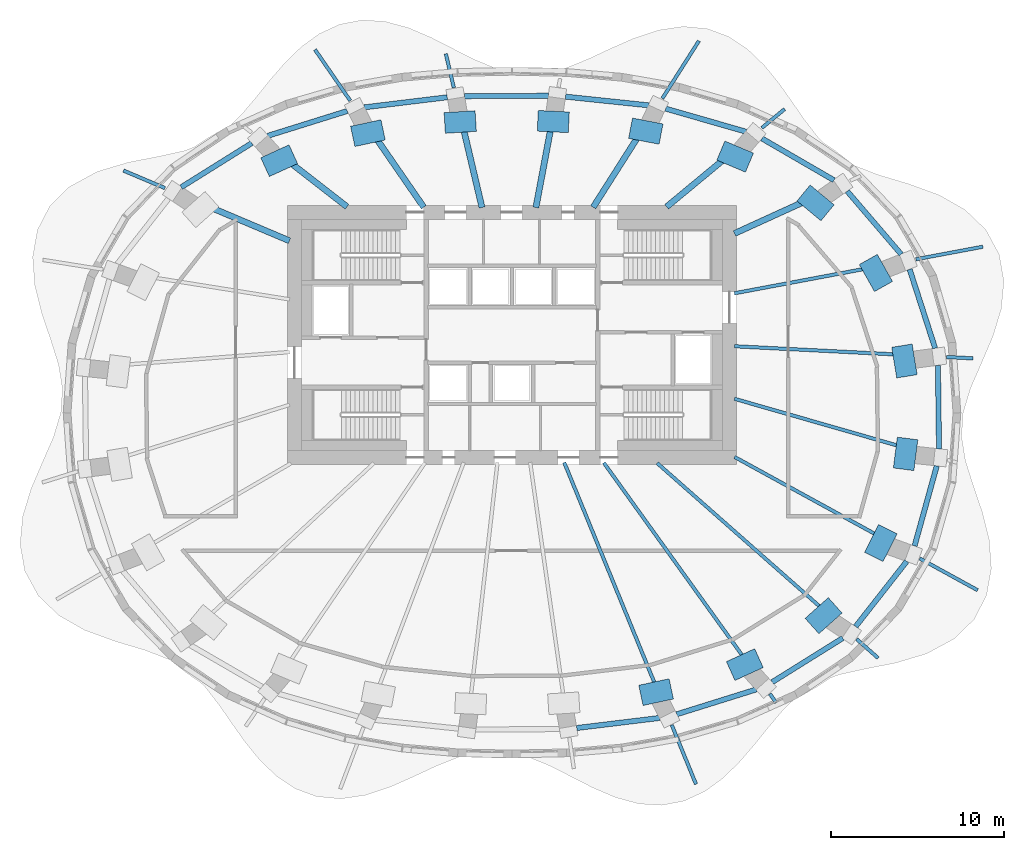
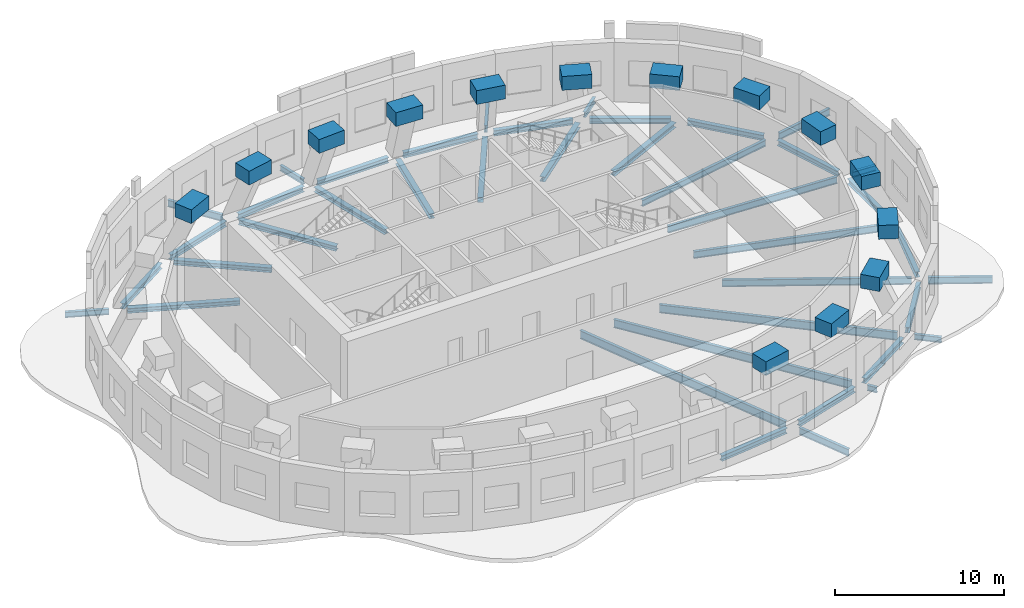
# One storey, part 2 of 9: 55 beams.
"""IFC4 building model written with IfcOpenShell, lengths in metres."""

from ifc_helpers import new_model, si_unit, direction, frame, origin, origin_2d, place, context, subcontext, project, spatial, rectangle, i_section, extrude, material, material_profile, profile_set, type_object, element, save


model = new_model("IFC4")

# Units and contexts
model_context = context("Model", 3, precision=1e-05, world=origin(), true_north=direction((0.0, 1.0)))
body_context = subcontext(model_context, "Body", "Model", "MODEL_VIEW")
ifc_project = project(units=[si_unit("LENGTHUNIT", "METRE"), si_unit("AREAUNIT", "SQUARE_METRE"), si_unit("VOLUMEUNIT", "CUBIC_METRE"), si_unit("PLANEANGLEUNIT", "RADIAN"), si_unit("MASSUNIT", "GRAM", prefix="KILO")], contexts=[model_context])

# Site, building, storey
site_placement = place(None, origin())
site = spatial("IfcSite", under=ifc_project, at=site_placement, CompositionType="ELEMENT")
building_placement = place(site_placement, origin())
building = spatial("IfcBuilding", under=site, at=building_placement, Name="Rubra Terraces Tower", CompositionType="ELEMENT")
storey_placement = place(building_placement, frame((0.0, 0.0, 264.300048828125)))
storey = spatial("IfcBuildingStorey", under=building, at=storey_placement, Name="L65", CompositionType="ELEMENT", Elevation=264.300048828125)

# Beams
ifc_material_1 = material(Name="Steel Q355B", Category="steel")
ifc_material_profile_1 = material_profile(ifc_material_1, i_section(OverallWidth=0.199951171875, OverallDepth=0.39990234375, WebThickness=0.008056640625, FlangeThickness=0.012939453125, at=origin_2d()), Name="HN 400x200x8x13")
ifc_profile_set_1 = profile_set([ifc_material_profile_1], Name="Steel Q355B")
beam_type_1 = type_object("IfcBeamType", Name="CANTILEVER BEAM HN 400x200x8x13", PredefinedType="BEAM", material=ifc_profile_set_1)
beam_1_placement = place(storey_placement, frame((25.179931640625, 3.221923828125, -0.5), z_axis=(0.998705379321, -0.050868116877, 0.0), x_axis=(0.050868116877, 0.998705379321, 0.0)))
element("IfcBeam", 1, at=beam_1_placement, inside=storey, type_object=beam_type_1, Name="beam-L65-cant-01", PredefinedType="BEAM", context=body_context, shape_type="SweptSolid", body=[
    extrude(i_section(OverallWidth=0.199951171875, OverallDepth=0.39990234375, WebThickness=0.008056640625, FlangeThickness=0.012939453125, at=origin_2d()), origin(), (0.0, 0.0, 1.0), 1.531005859375),
])
beam_2_placement = place(storey_placement, frame((14.47509765625, 16.4951171875, -0.5), z_axis=(0.77029770599, 0.637684439316, 0.0), x_axis=(-0.637684439316, 0.77029770599, 0.0)))
element("IfcBeam", 2, at=beam_2_placement, inside=storey, type_object=beam_type_1, Name="beam-L65-cant-04", PredefinedType="BEAM", context=body_context, shape_type="SweptSolid", body=[
    extrude(i_section(OverallWidth=0.199951171875, OverallDepth=0.39990234375, WebThickness=0.008056640625, FlangeThickness=0.012939453125, at=origin_2d()), origin(), (0.0, 0.0, 1.0), 1.712158203125),
])
beam_3_placement = place(storey_placement, frame((-3.3701171875, 18.823974609375, -0.5), z_axis=(-0.229039333726, 0.973417168334, 0.0), x_axis=(-0.973417168334, -0.229039333726, 0.0)))
element("IfcBeam", 3, at=beam_3_placement, inside=storey, type_object=beam_type_1, Name="beam-L65-cant-07", PredefinedType="BEAM", context=body_context, shape_type="SweptSolid", body=[
    extrude(i_section(OverallWidth=0.199951171875, OverallDepth=0.39990234375, WebThickness=0.008056640625, FlangeThickness=0.012939453125, at=origin_2d()), origin(), (0.0, 0.0, 1.0), 2.016845703125),
])
beam_4_placement = place(storey_placement, frame((-20.10205078125, 13.0048828125, -0.5), z_axis=(-0.920891110766, 0.389819909846, 0.0), x_axis=(-0.389819909846, -0.920891110766, 0.0)))
element("IfcBeam", 4, at=beam_4_placement, inside=storey, type_object=beam_type_1, Name="beam-L65-cant-10", PredefinedType="BEAM", context=body_context, shape_type="SweptSolid", body=[
    extrude(i_section(OverallWidth=0.199951171875, OverallDepth=0.39990234375, WebThickness=0.008056640625, FlangeThickness=0.012939453125, at=origin_2d()), origin(), (0.0, 0.0, 1.0), 2.611572265625),
])
beam_5_placement = place(storey_placement, frame((19.969970703125, -13.123046875, -0.5), z_axis=(0.749803442834, -0.661660635911, 0.0), x_axis=(0.661660635911, 0.749803442834, 0.0)))
element("IfcBeam", 5, at=beam_5_placement, inside=storey, type_object=beam_type_1, Name="beam-L65-cant-22", PredefinedType="BEAM", context=body_context, shape_type="SweptSolid", body=[
    extrude(i_section(OverallWidth=0.199951171875, OverallDepth=0.39990234375, WebThickness=0.008056640625, FlangeThickness=0.012939453125, at=origin_2d()), origin(), (0.0, 0.0, 1.0), 1.65625),
])
ifc_material_profile_2 = material_profile(ifc_material_1, i_section(OverallWidth=0.198974609375, OverallDepth=0.49609375, WebThickness=0.009033203125, FlangeThickness=0.013916015625, at=origin_2d()), Name="HN 496x199x9x14")
ifc_profile_set_2 = profile_set([ifc_material_profile_2], Name="Steel Q355B")
beam_type_2 = type_object("IfcBeamType", Name="CANTILEVER BEAM HN 496x199x9x14", PredefinedType="BEAM", material=ifc_profile_set_2)
beam_6_placement = place(storey_placement, frame((23.39794921875, 8.884033203125, -0.548095703125), z_axis=(0.982865888577, 0.18432212312, 0.0), x_axis=(-0.18432212312, 0.982865888577, 0.0)))
element("IfcBeam", 6, at=beam_6_placement, inside=storey, type_object=beam_type_2, Name="beam-L65-cant-02", PredefinedType="BEAM", context=body_context, shape_type="SweptSolid", body=[
    extrude(i_section(OverallWidth=0.198974609375, OverallDepth=0.49609375, WebThickness=0.009033203125, FlangeThickness=0.013916015625, at=origin_2d()), origin(), (0.0, 0.0, 1.0), 3.94970703125),
])
beam_7_placement = place(storey_placement, frame((8.7099609375, 18.201904296875, -0.548095703125), z_axis=(0.536427545347, 0.843946377795, 0.0), x_axis=(-0.843946377795, 0.536427545347, 0.0)))
element("IfcBeam", 7, at=beam_7_placement, inside=storey, type_object=beam_type_2, Name="beam-L65-cant-05", PredefinedType="BEAM", context=body_context, shape_type="SweptSolid", body=[
    extrude(i_section(OverallWidth=0.198974609375, OverallDepth=0.49609375, WebThickness=0.009033203125, FlangeThickness=0.013916015625, at=origin_2d()), origin(), (0.0, 0.0, 1.0), 3.950439453125),
])
beam_8_placement = place(storey_placement, frame((-9.3701171875, 18.070068359375, -0.548095703125), z_axis=(-0.56822135663, 0.822875743882, 0.0), x_axis=(-0.822875743882, -0.56822135663, 0.0)))
element("IfcBeam", 8, at=beam_8_placement, inside=storey, type_object=beam_type_2, Name="beam-L65-cant-08", PredefinedType="BEAM", context=body_context, shape_type="SweptSolid", body=[
    extrude(i_section(OverallWidth=0.198974609375, OverallDepth=0.49609375, WebThickness=0.009033203125, FlangeThickness=0.013916015625, at=origin_2d()), origin(), (0.0, 0.0, 1.0), 3.59716796875),
])
beam_9_placement = place(storey_placement, frame((9.256103515625, -18.094970703125, -0.548095703125), z_axis=(0.378876573118, -0.925447212078, 0.0), x_axis=(0.925447212078, 0.378876573118, 0.0)))
element("IfcBeam", 9, at=beam_9_placement, inside=storey, type_object=beam_type_2, Name="beam-L65-cant-20", PredefinedType="BEAM", context=body_context, shape_type="SweptSolid", body=[
    extrude(i_section(OverallWidth=0.198974609375, OverallDepth=0.49609375, WebThickness=0.009033203125, FlangeThickness=0.013916015625, at=origin_2d()), origin(), (0.0, 0.0, 1.0), 3.705078125),
])
beam_10_placement = place(storey_placement, frame((23.6240234375, -8.449951171875, -0.548095703125), z_axis=(0.876754126766, -0.480938874701, 0.0), x_axis=(0.480938874701, 0.876754126766, 0.0)))
element("IfcBeam", 10, at=beam_10_placement, inside=storey, type_object=beam_type_2, Name="beam-L65-cant-23", PredefinedType="BEAM", context=body_context, shape_type="SweptSolid", body=[
    extrude(i_section(OverallWidth=0.198974609375, OverallDepth=0.49609375, WebThickness=0.009033203125, FlangeThickness=0.013916015625, at=origin_2d()), origin(), (0.0, 0.0, 1.0), 3.8173828125),
])
ifc_material_profile_3 = material_profile(ifc_material_1, i_section(OverallWidth=0.199951171875, OverallDepth=0.39990234375, WebThickness=0.008056640625, FlangeThickness=0.012939453125, at=origin_2d()), Name="HN 400x200x8x13")
ifc_profile_set_3 = profile_set([ifc_material_profile_3], Name="Steel Q355B")
beam_type_3 = type_object("IfcBeamType", Name="CANTILEVER STUB HN 400x200x8x13", PredefinedType="BEAM", material=ifc_profile_set_3)
beam_11_placement = place(storey_placement, frame((14.93994140625, -16.294921875, -0.5), z_axis=(0.583740356703, -0.81194038941, 0.0), x_axis=(0.81194038941, 0.583740356703, 0.0)))
element("IfcBeam", 11, at=beam_11_placement, inside=storey, type_object=beam_type_3, Name="beam-L65-cant-21", PredefinedType="BEAM", context=body_context, shape_type="SweptSolid", body=[
    extrude(i_section(OverallWidth=0.199951171875, OverallDepth=0.39990234375, WebThickness=0.008056640625, FlangeThickness=0.012939453125, at=origin_2d()), origin(), (0.0, 0.0, 1.0), 0.626953125),
])
ifc_material_profile_4 = material_profile(ifc_material_1, i_section(OverallWidth=0.198974609375, OverallDepth=0.446044921875, WebThickness=0.008056640625, FlangeThickness=0.011962890625, at=origin_2d()), Name="HN 446x199x8x12")
ifc_profile_set_4 = profile_set([ifc_material_profile_4], Name="Steel Q355B")
beam_type_4 = type_object("IfcBeamType", Name="FLOOR BEAM HN 446x199x8x12", PredefinedType="BEAM", material=ifc_profile_set_4)
beam_12_placement = place(storey_placement, frame((22.360107421875, 8.68994140625, -0.52294921875), z_axis=(-0.982895681695, -0.18416318553, 0.0), x_axis=(0.18416318553, -0.982895681695, 0.0)))
element("IfcBeam", 12, at=beam_12_placement, inside=storey, type_object=beam_type_4, Name="beam-L65-floor-02", PredefinedType="BEAM", context=body_context, shape_type="SweptSolid", body=[
    extrude(i_section(OverallWidth=0.198974609375, OverallDepth=0.446044921875, WebThickness=0.008056640625, FlangeThickness=0.011962890625, at=origin_2d()), origin(), (0.0, 0.0, 1.0), 9.64306640625),
])
ifc_material_profile_5 = material_profile(ifc_material_1, i_section(OverallWidth=0.198974609375, OverallDepth=0.49609375, WebThickness=0.009033203125, FlangeThickness=0.013916015625, at=origin_2d()), Name="HN 496x199x9x14")
ifc_profile_set_5 = profile_set([ifc_material_profile_5], Name="Steel Q355B")
beam_type_5 = type_object("IfcBeamType", Name="FLOOR BEAM HN 496x199x9x14", PredefinedType="BEAM", material=ifc_profile_set_5)
beam_13_placement = place(storey_placement, frame((24.157958984375, 3.27392578125, -0.548095703125), z_axis=(-0.998716228561, 0.050654662269, 0.0), x_axis=(-0.050654662269, -0.998716228561, 0.0)))
element("IfcBeam", 13, at=beam_13_placement, inside=storey, type_object=beam_type_5, Name="beam-L65-floor-01", PredefinedType="BEAM", context=body_context, shape_type="SweptSolid", body=[
    extrude(i_section(OverallWidth=0.198974609375, OverallDepth=0.49609375, WebThickness=0.009033203125, FlangeThickness=0.013916015625, at=origin_2d()), origin(), (0.0, 0.0, 1.0), 11.29248046875),
])
beam_14_placement = place(storey_placement, frame((22.74609375, -7.969970703125, -0.548095703125), z_axis=(-0.876862055903, 0.480742066932, 0.0), x_axis=(-0.480742066932, -0.876862055903, 0.0)))
element("IfcBeam", 14, at=beam_14_placement, inside=storey, type_object=beam_type_5, Name="beam-L65-floor-23", PredefinedType="BEAM", context=body_context, shape_type="SweptSolid", body=[
    extrude(i_section(OverallWidth=0.198974609375, OverallDepth=0.49609375, WebThickness=0.009033203125, FlangeThickness=0.013916015625, at=origin_2d()), origin(), (0.0, 0.0, 1.0), 11.234375),
])
beam_15_placement = place(storey_placement, frame((24.257080078125, -2.4599609375, -0.548095703125), z_axis=(-0.961215754667, 0.275797521707, 0.0), x_axis=(-0.275797521707, -0.961215754667, 0.0)))
element("IfcBeam", 15, at=beam_15_placement, inside=storey, type_object=beam_type_5, Name="beam-L65-floor-24", PredefinedType="BEAM", context=body_context, shape_type="SweptSolid", body=[
    extrude(i_section(OverallWidth=0.198974609375, OverallDepth=0.49609375, WebThickness=0.009033203125, FlangeThickness=0.013916015625, at=origin_2d()), origin(), (0.0, 0.0, 1.0), 11.830810546875),
])
ifc_material_profile_6 = material_profile(ifc_material_1, i_section(OverallWidth=0.198974609375, OverallDepth=0.595947265625, WebThickness=0.010009765625, FlangeThickness=0.014892578125, at=origin_2d()), Name="HN 596x199x10x15")
ifc_profile_set_6 = profile_set([ifc_material_profile_6], Name="Steel Q355B")
beam_type_6 = type_object("IfcBeamType", Name="FLOOR BEAM HN 596x199x10x15", PredefinedType="BEAM", material=ifc_profile_set_6)
beam_16_placement = place(storey_placement, frame((8.8701171875, -17.155029296875, -0.59814453125), z_axis=(-0.379015131933, 0.925390474214, 0.0), x_axis=(-0.925390474214, -0.379015131933, 0.0)))
element("IfcBeam", 16, at=beam_16_placement, inside=storey, type_object=beam_type_6, Name="beam-L65-floor-20", PredefinedType="BEAM", context=body_context, shape_type="SweptSolid", body=[
    extrude(i_section(OverallWidth=0.198974609375, OverallDepth=0.595947265625, WebThickness=0.010009765625, FlangeThickness=0.014892578125, at=origin_2d()), origin(), (0.0, 0.0, 1.0), 15.416259765625),
])
beam_17_placement = place(storey_placement, frame((14.345947265625, -15.467041015625, -0.59814453125), z_axis=(-0.583528740197, 0.812092488183, 0.0), x_axis=(-0.812092488183, -0.583528740197, 0.0)))
element("IfcBeam", 17, at=beam_17_placement, inside=storey, type_object=beam_type_6, Name="beam-L65-floor-21", PredefinedType="BEAM", context=body_context, shape_type="SweptSolid", body=[
    extrude(i_section(OverallWidth=0.198974609375, OverallDepth=0.595947265625, WebThickness=0.010009765625, FlangeThickness=0.014892578125, at=origin_2d()), origin(), (0.0, 0.0, 1.0), 15.47119140625),
])
beam_18_placement = place(storey_placement, frame((19.216064453125, -12.45703125, -0.59814453125), z_axis=(-0.749823025288, 0.661638444128, 0.0), x_axis=(-0.661638444128, -0.749823025288, 0.0)))
element("IfcBeam", 18, at=beam_18_placement, inside=storey, type_object=beam_type_6, Name="beam-L65-floor-22", PredefinedType="BEAM", context=body_context, shape_type="SweptSolid", body=[
    extrude(i_section(OverallWidth=0.198974609375, OverallDepth=0.595947265625, WebThickness=0.010009765625, FlangeThickness=0.014892578125, at=origin_2d()), origin(), (0.0, 0.0, 1.0), 14.412841796875),
])
ifc_material_profile_7 = material_profile(ifc_material_1, i_section(OverallWidth=0.35009765625, OverallDepth=0.35009765625, WebThickness=0.011962890625, FlangeThickness=0.01904296875, at=origin_2d()), Name="HW 350x350x12x19")
ifc_profile_set_7 = profile_set([ifc_material_profile_7], Name="Steel Q355B")
beam_type_7 = type_object("IfcBeamType", Name="FLOOR BEAM HW 350x350x12x19", PredefinedType="BEAM", material=ifc_profile_set_7)
beam_19_placement = place(storey_placement, frame((18.5869140625, 12.97900390625, -0.47509765625), z_axis=(-0.909756526533, -0.415142219523, 0.0), x_axis=(0.415142219523, -0.909756526533, 0.0)))
element("IfcBeam", 19, at=beam_19_placement, inside=storey, type_object=beam_type_7, Name="beam-L65-floor-03", PredefinedType="BEAM", context=body_context, shape_type="SweptSolid", body=[
    extrude(i_section(OverallWidth=0.35009765625, OverallDepth=0.35009765625, WebThickness=0.011962890625, FlangeThickness=0.01904296875, at=origin_2d()), origin(), (0.0, 0.0, 1.0), 6.2607421875),
])
beam_20_placement = place(storey_placement, frame((13.60888671875, 15.777099609375, -0.47509765625), z_axis=(-0.769987518392, -0.638058948312, 0.0), x_axis=(0.638058948312, -0.769987518392, 0.0)))
element("IfcBeam", 20, at=beam_20_placement, inside=storey, type_object=beam_type_7, Name="beam-L65-floor-04", PredefinedType="BEAM", context=body_context, shape_type="SweptSolid", body=[
    extrude(i_section(OverallWidth=0.35009765625, OverallDepth=0.35009765625, WebThickness=0.011962890625, FlangeThickness=0.01904296875, at=origin_2d()), origin(), (0.0, 0.0, 1.0), 6.040283203125),
])
beam_21_placement = place(storey_placement, frame((8.134033203125, 17.2958984375, -0.47509765625), z_axis=(-0.536509861106, -0.843894050776, 0.0), x_axis=(0.843894050776, -0.536509861106, 0.0)))
element("IfcBeam", 21, at=beam_21_placement, inside=storey, type_object=beam_type_7, Name="beam-L65-floor-05", PredefinedType="BEAM", context=body_context, shape_type="SweptSolid", body=[
    extrude(i_section(OverallWidth=0.35009765625, OverallDepth=0.35009765625, WebThickness=0.011962890625, FlangeThickness=0.01904296875, at=origin_2d()), origin(), (0.0, 0.0, 1.0), 6.395263671875),
])
beam_22_placement = place(storey_placement, frame((2.509033203125, 17.862060546875, -0.47509765625), z_axis=(-0.184574398021, -0.982818544593, 0.0), x_axis=(0.982818544593, -0.184574398021, 0.0)))
element("IfcBeam", 22, at=beam_22_placement, inside=storey, type_object=beam_type_7, Name="beam-L65-floor-06", PredefinedType="BEAM", context=body_context, shape_type="SweptSolid", body=[
    extrude(i_section(OverallWidth=0.35009765625, OverallDepth=0.35009765625, WebThickness=0.011962890625, FlangeThickness=0.01904296875, at=origin_2d()), origin(), (0.0, 0.0, 1.0), 6.08447265625),
])
beam_23_placement = place(storey_placement, frame((-3.137939453125, 17.8359375, -0.47509765625), z_axis=(0.229070485592, -0.973409837957, 0.0), x_axis=(0.973409837957, 0.229070485592, 0.0)))
element("IfcBeam", 23, at=beam_23_placement, inside=storey, type_object=beam_type_7, Name="beam-L65-floor-07", PredefinedType="BEAM", context=body_context, shape_type="SweptSolid", body=[
    extrude(i_section(OverallWidth=0.35009765625, OverallDepth=0.35009765625, WebThickness=0.011962890625, FlangeThickness=0.01904296875, at=origin_2d()), origin(), (0.0, 0.0, 1.0), 6.115478515625),
])
beam_24_placement = place(storey_placement, frame((-8.756103515625, 17.179931640625, -0.47509765625), z_axis=(0.568186422001, -0.822899866238, 0.0), x_axis=(0.822899866238, 0.568186422001, 0.0)))
element("IfcBeam", 24, at=beam_24_placement, inside=storey, type_object=beam_type_7, Name="beam-L65-floor-08", PredefinedType="BEAM", context=body_context, shape_type="SweptSolid", body=[
    extrude(i_section(OverallWidth=0.35009765625, OverallDepth=0.35009765625, WebThickness=0.011962890625, FlangeThickness=0.01904296875, at=origin_2d()), origin(), (0.0, 0.0, 1.0), 6.415283203125),
])
beam_25_placement = place(storey_placement, frame((-14.197998046875, 15.534912109375, -0.47509765625), z_axis=(0.789548898228, -0.613687654517, 0.0), x_axis=(0.613687654517, 0.789548898228, 0.0)))
element("IfcBeam", 25, at=beam_25_placement, inside=storey, type_object=beam_type_7, Name="beam-L65-floor-09", PredefinedType="BEAM", context=body_context, shape_type="SweptSolid", body=[
    extrude(i_section(OverallWidth=0.35009765625, OverallDepth=0.35009765625, WebThickness=0.011962890625, FlangeThickness=0.01904296875, at=origin_2d()), origin(), (0.0, 0.0, 1.0), 5.880615234375),
])
beam_26_placement = place(storey_placement, frame((-19.083984375, 12.574951171875, -0.47509765625), z_axis=(0.92097476483, -0.38962223056, 0.0), x_axis=(0.38962223056, 0.92097476483, 0.0)))
element("IfcBeam", 26, at=beam_26_placement, inside=storey, type_object=beam_type_7, Name="beam-L65-floor-10", PredefinedType="BEAM", context=body_context, shape_type="SweptSolid", body=[
    extrude(i_section(OverallWidth=0.35009765625, OverallDepth=0.35009765625, WebThickness=0.011962890625, FlangeThickness=0.01904296875, at=origin_2d()), origin(), (0.0, 0.0, 1.0), 6.7265625),
])
ifc_material_profile_8 = material_profile(ifc_material_1, i_section(OverallWidth=0.300048828125, OverallDepth=0.389892578125, WebThickness=0.010009765625, FlangeThickness=0.01611328125, at=origin_2d()), Name="HM 390x300x10x16")
ifc_profile_set_8 = profile_set([ifc_material_profile_8], Name="Steel Q355B")
beam_type_8 = type_object("IfcBeamType", Name="SPANDREL BEAM HM 390x300x10x16", PredefinedType="SPANDREL", material=ifc_profile_set_8)
beam_27_placement = place(storey_placement, frame((24.512939453125, 3.72900390625, -0.4951171875), z_axis=(-0.307359002872, 0.951593633519, 0.0), x_axis=(-0.951593633519, -0.307359002872, 0.0)))
element("IfcBeam", 27, at=beam_27_placement, inside=storey, type_object=beam_type_8, Name="beam-L65-spandrel-01", PredefinedType="SPANDREL", context=body_context, shape_type="SweptSolid", body=[
    extrude(i_section(OverallWidth=0.300048828125, OverallDepth=0.389892578125, WebThickness=0.010009765625, FlangeThickness=0.01611328125, at=origin_2d()), origin(), (0.0, 0.0, 1.0), 4.8056640625),
])
beam_28_placement = place(storey_placement, frame((22.547119140625, 9.174072265625, -0.4951171875), z_axis=(-0.650372836218, 0.759615148552, 0.0), x_axis=(-0.759615148552, -0.650372836218, 0.0)))
element("IfcBeam", 28, at=beam_28_placement, inside=storey, type_object=beam_type_8, Name="beam-L65-spandrel-02", PredefinedType="SPANDREL", context=body_context, shape_type="SweptSolid", body=[
    extrude(i_section(OverallWidth=0.300048828125, OverallDepth=0.389892578125, WebThickness=0.010009765625, FlangeThickness=0.01611328125, at=origin_2d()), origin(), (0.0, 0.0, 1.0), 4.804931640625),
])
beam_29_placement = place(storey_placement, frame((18.653076171875, 13.462890625, -0.4951171875), z_axis=(-0.865153680787, 0.501506838059, 0.0), x_axis=(-0.501506838059, -0.865153680787, 0.0)))
element("IfcBeam", 29, at=beam_29_placement, inside=storey, type_object=beam_type_8, Name="beam-L65-spandrel-03", PredefinedType="SPANDREL", context=body_context, shape_type="SweptSolid", body=[
    extrude(i_section(OverallWidth=0.300048828125, OverallDepth=0.389892578125, WebThickness=0.010009765625, FlangeThickness=0.01611328125, at=origin_2d()), origin(), (0.0, 0.0, 1.0), 4.82568359375),
])
beam_30_placement = place(storey_placement, frame((13.55810546875, 16.27490234375, -0.4951171875), z_axis=(-0.961171164323, 0.275952881621, 0.0), x_axis=(-0.275952881621, -0.961171164323, 0.0)))
element("IfcBeam", 30, at=beam_30_placement, inside=storey, type_object=beam_type_8, Name="beam-L65-spandrel-04", PredefinedType="SPANDREL", context=body_context, shape_type="SweptSolid", body=[
    extrude(i_section(OverallWidth=0.300048828125, OverallDepth=0.389892578125, WebThickness=0.010009765625, FlangeThickness=0.01611328125, at=origin_2d()), origin(), (0.0, 0.0, 1.0), 4.842041015625),
])
beam_31_placement = place(storey_placement, frame((7.923095703125, 17.801025390625, -0.4951171875), z_axis=(-0.994565426955, 0.104113454971, 0.0), x_axis=(-0.104113454971, -0.994565426955, 0.0)))
element("IfcBeam", 31, at=beam_31_placement, inside=storey, type_object=beam_type_8, Name="beam-L65-spandrel-05", PredefinedType="SPANDREL", context=body_context, shape_type="SweptSolid", body=[
    extrude(i_section(OverallWidth=0.300048828125, OverallDepth=0.389892578125, WebThickness=0.010009765625, FlangeThickness=0.01611328125, at=origin_2d()), origin(), (0.0, 0.0, 1.0), 4.849365234375),
])
beam_32_placement = place(storey_placement, frame((2.10107421875, 18.35595703125, -0.4951171875), z_axis=(-0.999987852299, -0.004929021704, 0.0), x_axis=(0.004929021704, -0.999987852299, 0.0)))
element("IfcBeam", 32, at=beam_32_placement, inside=storey, type_object=beam_type_8, Name="beam-L65-spandrel-06", PredefinedType="SPANDREL", context=body_context, shape_type="SweptSolid", body=[
    extrude(i_section(OverallWidth=0.300048828125, OverallDepth=0.389892578125, WebThickness=0.010009765625, FlangeThickness=0.01611328125, at=origin_2d()), origin(), (0.0, 0.0, 1.0), 4.85400390625),
])
beam_33_placement = place(storey_placement, frame((-3.7509765625, 18.27001953125, -0.4951171875), z_axis=(-0.992698018573, -0.120626049929, 0.0), x_axis=(0.120626049929, -0.992698018573, 0.0)))
element("IfcBeam", 33, at=beam_33_placement, inside=storey, type_object=beam_type_8, Name="beam-L65-spandrel-07", PredefinedType="SPANDREL", context=body_context, shape_type="SweptSolid", body=[
    extrude(i_section(OverallWidth=0.300048828125, OverallDepth=0.389892578125, WebThickness=0.010009765625, FlangeThickness=0.01611328125, at=origin_2d()), origin(), (0.0, 0.0, 1.0), 4.849365234375),
])
beam_34_placement = place(storey_placement, frame((-9.5419921875, 17.47509765625, -0.4951171875), z_axis=(-0.954462027342, -0.298332429282, 0.0), x_axis=(0.298332429282, -0.954462027342, 0.0)))
element("IfcBeam", 34, at=beam_34_placement, inside=storey, type_object=beam_type_8, Name="beam-L65-spandrel-08", PredefinedType="SPANDREL", context=body_context, shape_type="SweptSolid", body=[
    extrude(i_section(OverallWidth=0.300048828125, OverallDepth=0.389892578125, WebThickness=0.010009765625, FlangeThickness=0.01611328125, at=origin_2d()), origin(), (0.0, 0.0, 1.0), 4.840576171875),
])
beam_35_placement = place(storey_placement, frame((-15.071044921875, 15.614013671875, -0.4951171875), z_axis=(-0.848183088492, -0.529703170083, 0.0), x_axis=(0.529703170083, -0.848183088492, 0.0)))
element("IfcBeam", 35, at=beam_35_placement, inside=storey, type_object=beam_type_8, Name="beam-L65-spandrel-09", PredefinedType="SPANDREL", context=body_context, shape_type="SweptSolid", body=[
    extrude(i_section(OverallWidth=0.300048828125, OverallDepth=0.389892578125, WebThickness=0.010009765625, FlangeThickness=0.01611328125, at=origin_2d()), origin(), (0.0, 0.0, 1.0), 4.8232421875),
])
beam_36_placement = place(storey_placement, frame((3.7509765625, -18.27001953125, -0.4951171875), z_axis=(0.992698018573, 0.120626049929, 0.0), x_axis=(-0.120626049929, 0.992698018573, 0.0)))
element("IfcBeam", 36, at=beam_36_placement, inside=storey, type_object=beam_type_8, Name="beam-L65-spandrel-19", PredefinedType="SPANDREL", context=body_context, shape_type="SweptSolid", body=[
    extrude(i_section(OverallWidth=0.300048828125, OverallDepth=0.389892578125, WebThickness=0.010009765625, FlangeThickness=0.01611328125, at=origin_2d()), origin(), (0.0, 0.0, 1.0), 4.849365234375),
])
beam_37_placement = place(storey_placement, frame((9.5419921875, -17.47509765625, -0.4951171875), z_axis=(0.954462027342, 0.298332429282, 0.0), x_axis=(-0.298332429282, 0.954462027342, 0.0)))
element("IfcBeam", 37, at=beam_37_placement, inside=storey, type_object=beam_type_8, Name="beam-L65-spandrel-20", PredefinedType="SPANDREL", context=body_context, shape_type="SweptSolid", body=[
    extrude(i_section(OverallWidth=0.300048828125, OverallDepth=0.389892578125, WebThickness=0.010009765625, FlangeThickness=0.01611328125, at=origin_2d()), origin(), (0.0, 0.0, 1.0), 4.840576171875),
])
beam_38_placement = place(storey_placement, frame((15.071044921875, -15.614013671875, -0.4951171875), z_axis=(0.848183088492, 0.529703170083, 0.0), x_axis=(-0.529703170083, 0.848183088492, 0.0)))
element("IfcBeam", 38, at=beam_38_placement, inside=storey, type_object=beam_type_8, Name="beam-L65-spandrel-21", PredefinedType="SPANDREL", context=body_context, shape_type="SweptSolid", body=[
    extrude(i_section(OverallWidth=0.300048828125, OverallDepth=0.389892578125, WebThickness=0.010009765625, FlangeThickness=0.01611328125, at=origin_2d()), origin(), (0.0, 0.0, 1.0), 4.8232421875),
])
beam_39_placement = place(storey_placement, frame((19.906005859375, -12.39111328125, -0.4951171875), z_axis=(0.617060338015, 0.786915840004, 0.0), x_axis=(-0.786915840004, 0.617060338015, 0.0)))
element("IfcBeam", 39, at=beam_39_placement, inside=storey, type_object=beam_type_8, Name="beam-L65-spandrel-22", PredefinedType="SPANDREL", context=body_context, shape_type="SweptSolid", body=[
    extrude(i_section(OverallWidth=0.300048828125, OverallDepth=0.389892578125, WebThickness=0.010009765625, FlangeThickness=0.01611328125, at=origin_2d()), origin(), (0.0, 0.0, 1.0), 4.8037109375),
])
beam_40_placement = place(storey_placement, frame((23.321044921875, -7.718994140625, -0.4951171875), z_axis=(0.267625533012, 0.963523001324, 0.0), x_axis=(-0.963523001324, 0.267625533012, 0.0)))
element("IfcBeam", 40, at=beam_40_placement, inside=storey, type_object=beam_type_8, Name="beam-L65-spandrel-23", PredefinedType="SPANDREL", context=body_context, shape_type="SweptSolid", body=[
    extrude(i_section(OverallWidth=0.300048828125, OverallDepth=0.389892578125, WebThickness=0.010009765625, FlangeThickness=0.01611328125, at=origin_2d()), origin(), (0.0, 0.0, 1.0), 4.808349609375),
])
beam_41_placement = place(storey_placement, frame((24.737060546875, -2.093994140625, -0.4951171875), z_axis=(-0.012822047643, 0.999917794168, 0.0), x_axis=(-0.999917794168, -0.012822047643, 0.0)))
element("IfcBeam", 41, at=beam_41_placement, inside=storey, type_object=beam_type_8, Name="beam-L65-spandrel-24", PredefinedType="SPANDREL", context=body_context, shape_type="SweptSolid", body=[
    extrude(i_section(OverallWidth=0.300048828125, OverallDepth=0.389892578125, WebThickness=0.010009765625, FlangeThickness=0.01611328125, at=origin_2d()), origin(), (0.0, 0.0, 1.0), 4.83642578125),
])
ifc_material_2 = material(Name="Concrete C50", Category="concrete")
ifc_material_profile_9 = material_profile(ifc_material_2, rectangle(XDim=1.199951171875, YDim=1.0, at=origin_2d()), Name="RC 1200x1000")
ifc_profile_set_9 = profile_set([ifc_material_profile_9], Name="Concrete C50")
beam_type_9 = type_object("IfcBeamType", Name="TRANSFER NODE RC 1200x1000 C50", PredefinedType="BEAM", material=ifc_profile_set_9)
beam_42_placement = place(storey_placement, frame((22.8798828125, 2.10498046875, 3.800048828125), z_axis=(-0.162221073445, 0.986754439225, 0.0), x_axis=(-0.986754439225, -0.162221073445, 0.0)))
element("IfcBeam", 42, at=beam_42_placement, inside=storey, type_object=beam_type_9, Name="node-L65-hi-01", PredefinedType="BEAM", context=body_context, shape_type="SweptSolid", body=[
    extrude(rectangle(XDim=1.199951171875, YDim=1.0, at=origin_2d()), origin(), (0.0, 0.0, 1.0), 1.800048828125),
])
beam_43_placement = place(storey_placement, frame((21.52197265625, 7.305908203125, 3.800048828125), z_axis=(-0.490267682133, 0.871571913186, 0.0), x_axis=(-0.871571913186, -0.490267682133, 0.0)))
element("IfcBeam", 43, at=beam_43_placement, inside=storey, type_object=beam_type_9, Name="node-L65-hi-02", PredefinedType="BEAM", context=body_context, shape_type="SweptSolid", body=[
    extrude(rectangle(XDim=1.199951171875, YDim=1.0, at=origin_2d()), origin(), (0.0, 0.0, 1.0), 1.799072265625),
])
beam_44_placement = place(storey_placement, frame((18.278076171875, 11.576904296875, 3.800048828125), z_axis=(-0.770571032781, 0.637354127184, 0.0), x_axis=(-0.637354127184, -0.770571032781, 0.0)))
element("IfcBeam", 44, at=beam_44_placement, inside=storey, type_object=beam_type_9, Name="node-L65-hi-03", PredefinedType="BEAM", context=body_context, shape_type="SweptSolid", body=[
    extrude(rectangle(XDim=1.199951171875, YDim=1.0, at=origin_2d()), origin(), (0.0, 0.0, 1.0), 1.801513671875),
])
beam_45_placement = place(storey_placement, frame((13.756103515625, 14.48193359375, 3.800048828125), z_axis=(-0.921285202125, 0.38888761403, 0.0), x_axis=(-0.38888761403, -0.921285202125, 0.0)))
element("IfcBeam", 45, at=beam_45_placement, inside=storey, type_object=beam_type_9, Name="node-L65-hi-04", PredefinedType="BEAM", context=body_context, shape_type="SweptSolid", body=[
    extrude(rectangle(XDim=1.199951171875, YDim=1.0, at=origin_2d()), origin(), (0.0, 0.0, 1.0), 1.7998046875),
])
beam_46_placement = place(storey_placement, frame((8.635009765625, 16.136962890625, 3.800048828125), z_axis=(-0.981998708769, 0.188887627909, 0.0), x_axis=(-0.188887627909, -0.981998708769, 0.0)))
element("IfcBeam", 46, at=beam_46_placement, inside=storey, type_object=beam_type_9, Name="node-L65-hi-05", PredefinedType="BEAM", context=body_context, shape_type="SweptSolid", body=[
    extrude(rectangle(XDim=1.199951171875, YDim=1.0, at=origin_2d()), origin(), (0.0, 0.0, 1.0), 1.800537109375),
])
beam_47_placement = place(storey_placement, frame((3.291015625, 16.818115234375, 3.800048828125), z_axis=(-0.998807517184, 0.048821548701, 0.0), x_axis=(-0.048821548701, -0.998807517184, 0.0)))
element("IfcBeam", 47, at=beam_47_placement, inside=storey, type_object=beam_type_9, Name="node-L65-hi-06", PredefinedType="BEAM", context=body_context, shape_type="SweptSolid", body=[
    extrude(rectangle(XDim=1.199951171875, YDim=1.0, at=origin_2d()), origin(), (0.0, 0.0, 1.0), 1.80029296875),
])
beam_48_placement = place(storey_placement, frame((-2.10107421875, 16.89208984375, 3.800048828125), z_axis=(-0.998058908568, -0.062276922109, 0.0), x_axis=(0.062276922109, -0.998058908568, 0.0)))
element("IfcBeam", 48, at=beam_48_placement, inside=storey, type_object=beam_type_9, Name="node-L65-hi-07", PredefinedType="BEAM", context=body_context, shape_type="SweptSolid", body=[
    extrude(rectangle(XDim=1.199951171875, YDim=1.0, at=origin_2d()), origin(), (0.0, 0.0, 1.0), 1.79931640625),
])
beam_49_placement = place(storey_placement, frame((-7.467041015625, 16.3798828125, 3.800048828125), z_axis=(-0.977935224914, -0.208908343233, 0.0), x_axis=(0.208908343233, -0.977935224914, 0.0)))
element("IfcBeam", 49, at=beam_49_placement, inside=storey, type_object=beam_type_9, Name="node-L65-hi-08", PredefinedType="BEAM", context=body_context, shape_type="SweptSolid", body=[
    extrude(rectangle(XDim=1.199951171875, YDim=1.0, at=origin_2d()), origin(), (0.0, 0.0, 1.0), 1.7998046875),
])
beam_50_placement = place(storey_placement, frame((-12.66796875, 14.969970703125, 3.800048828125), z_axis=(-0.909626750939, -0.415426496479, 0.0), x_axis=(0.415426496479, -0.909626750939, 0.0)))
element("IfcBeam", 50, at=beam_50_placement, inside=storey, type_object=beam_type_9, Name="node-L65-hi-09", PredefinedType="BEAM", context=body_context, shape_type="SweptSolid", body=[
    extrude(rectangle(XDim=1.199951171875, YDim=1.0, at=origin_2d()), origin(), (0.0, 0.0, 1.0), 1.80078125),
])
beam_51_placement = place(storey_placement, frame((7.467041015625, -16.3798828125, 3.800048828125), z_axis=(0.977935224914, 0.208908343233, 0.0), x_axis=(-0.208908343233, 0.977935224914, 0.0)))
element("IfcBeam", 51, at=beam_51_placement, inside=storey, type_object=beam_type_9, Name="node-L65-hi-20", PredefinedType="BEAM", context=body_context, shape_type="SweptSolid", body=[
    extrude(rectangle(XDim=1.199951171875, YDim=1.0, at=origin_2d()), origin(), (0.0, 0.0, 1.0), 1.7998046875),
])
beam_52_placement = place(storey_placement, frame((12.66796875, -14.969970703125, 3.800048828125), z_axis=(0.909626750939, 0.415426496479, 0.0), x_axis=(-0.415426496479, 0.909626750939, 0.0)))
element("IfcBeam", 52, at=beam_52_placement, inside=storey, type_object=beam_type_9, Name="node-L65-hi-21", PredefinedType="BEAM", context=body_context, shape_type="SweptSolid", body=[
    extrude(rectangle(XDim=1.199951171875, YDim=1.0, at=origin_2d()), origin(), (0.0, 0.0, 1.0), 1.80078125),
])
beam_53_placement = place(storey_placement, frame((17.3798828125, -12.363037109375, 3.800048828125), z_axis=(0.745468266738, 0.666541118977, 0.0), x_axis=(-0.666541118977, 0.745468266738, 0.0)))
element("IfcBeam", 53, at=beam_53_placement, inside=storey, type_object=beam_type_9, Name="node-L65-hi-22", PredefinedType="BEAM", context=body_context, shape_type="SweptSolid", body=[
    extrude(rectangle(XDim=1.199951171875, YDim=1.0, at=origin_2d()), origin(), (0.0, 0.0, 1.0), 1.80029296875),
])
beam_54_placement = place(storey_placement, frame((20.9599609375, -8.35693359375, 3.800048828125), z_axis=(0.452088514453, 0.891973079806, 0.0), x_axis=(-0.891973079806, 0.452088514453, 0.0)))
element("IfcBeam", 54, at=beam_54_placement, inside=storey, type_object=beam_type_9, Name="node-L65-hi-23", PredefinedType="BEAM", context=body_context, shape_type="SweptSolid", body=[
    extrude(rectangle(XDim=1.199951171875, YDim=1.0, at=origin_2d()), origin(), (0.0, 0.0, 1.0), 1.800537109375),
])
beam_55_placement = place(storey_placement, frame((22.68603515625, -3.281982421875, 3.800048828125), z_axis=(0.128788580977, 0.991672073525, 0.0), x_axis=(-0.991672073525, 0.128788580977, 0.0)))
element("IfcBeam", 55, at=beam_55_placement, inside=storey, type_object=beam_type_9, Name="node-L65-hi-24", PredefinedType="BEAM", context=body_context, shape_type="SweptSolid", body=[
    extrude(rectangle(XDim=1.199951171875, YDim=1.0, at=origin_2d()), origin(), (0.0, 0.0, 1.0), 1.80078125),
])

save(model, "model.ifc")
